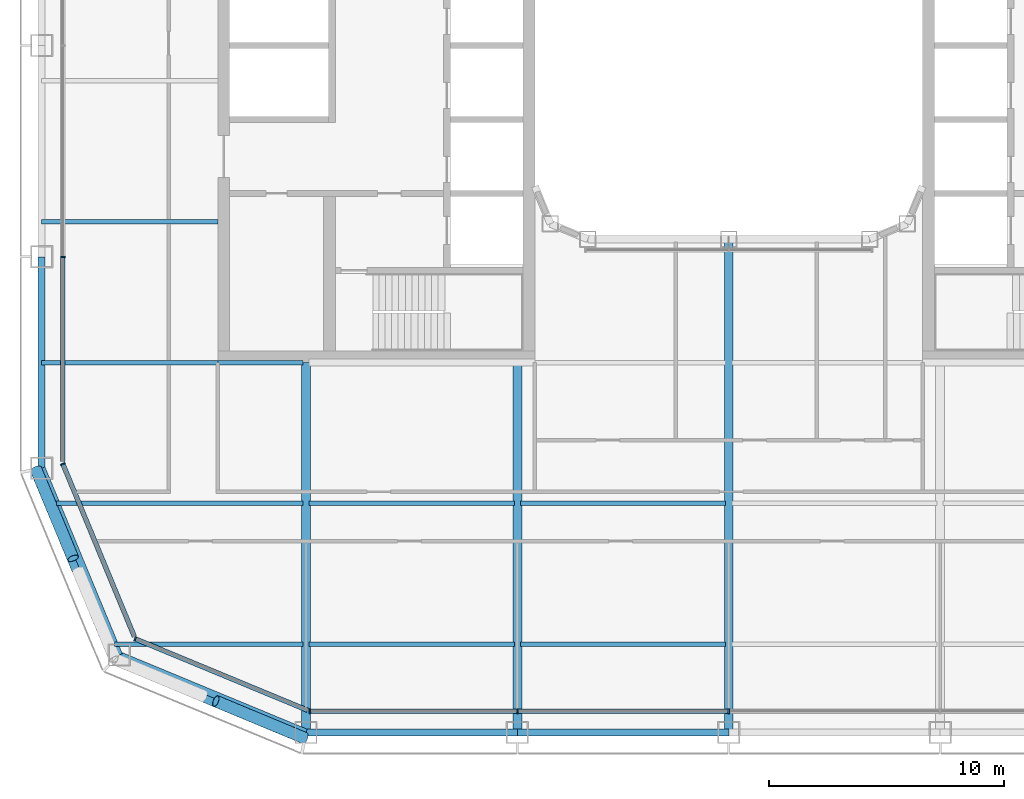
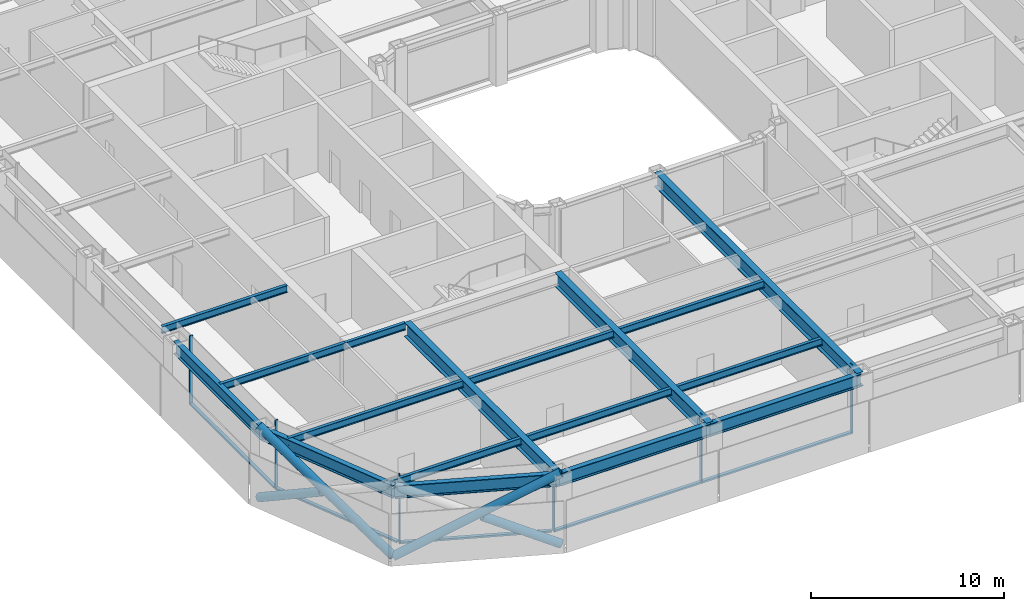
# One storey, part 2 of 21: 17 beams, 15 members, 4 elements without a shape of their own.
"""IFC4 building model written with IfcOpenShell, lengths in metres."""

from ifc_helpers import new_model, si_unit, direction, frame, origin, origin_2d, place, context, subcontext, project, spatial, rectangle, hollow_circle, i_section, extrude, material, layer, layer_set, material_profile, profile_set, type_object, element, aggregate, save


model = new_model("IFC4")

# Units and contexts
model_context = context("Model", 3, precision=1e-05, world=origin(), true_north=direction((0.0, 1.0)))
body_context = subcontext(model_context, "Body", "Model", "MODEL_VIEW")
ifc_project = project(units=[si_unit("LENGTHUNIT", "METRE"), si_unit("AREAUNIT", "SQUARE_METRE"), si_unit("VOLUMEUNIT", "CUBIC_METRE"), si_unit("PLANEANGLEUNIT", "RADIAN"), si_unit("MASSUNIT", "GRAM", prefix="KILO")], contexts=[model_context])

# Site, building, storey
site_placement = place(None, origin())
site = spatial("IfcSite", under=ifc_project, at=site_placement, CompositionType="ELEMENT")
building_placement = place(site_placement, origin())
building = spatial("IfcBuilding", under=site, at=building_placement, Name="Siwar Civic Tower", CompositionType="ELEMENT")
storey_placement = place(building_placement, frame((0.0, 0.0, 140.699951171875)))
storey = spatial("IfcBuildingStorey", under=building, at=storey_placement, Name="L30", CompositionType="ELEMENT", Elevation=140.699951171875)

# Curtain wall, members
ifc_material_1 = material(Name="Aluminium and glass", Category="aluminium")
ifc_layer_1 = layer(ifc_material_1, 0.199951171875)
ifc_layer_set_1 = layer_set([ifc_layer_1], Name="Aluminium and glass")
curtain_wall_type_1 = type_object("IfcCurtainWallType", Name="ENV-CW-B", PredefinedType="NOTDEFINED", material=ifc_layer_set_1)
curtain_wall_1_placement = place(storey_placement, origin())
curtain_wall_1 = element("IfcCurtainWall", 1, at=curtain_wall_1_placement, inside=storey, type_object=curtain_wall_type_1, Name="Curtain wall B S", PredefinedType="NOTDEFINED")
ifc_material_2 = material(Name="Aluminium 6063-T6", Category="aluminium")
ifc_material_profile_1 = material_profile(ifc_material_2, rectangle(XDim=0.199951171875, YDim=0.06494140625, at=origin_2d()), Name="AL 200x65")
ifc_profile_set_1 = profile_set([ifc_material_profile_1], Name="Aluminium 6063-T6")
member_type_1 = type_object("IfcMemberType", Name="ENV-MULLION-B", PredefinedType="MULLION", material=ifc_profile_set_1)
member_1_placement = place(storey_placement, frame((-17.821044921875, -28.35009765625, 0.0), z_axis=(0.0, 0.0, 1.0), x_axis=(0.0, 1.0, 0.0)))
member_1 = element("IfcMember", 2, at=member_1_placement, type_object=member_type_1, Name="Mullion B S 1", PredefinedType="MULLION", context=body_context, shape_type="SweptSolid", body=[
    extrude(rectangle(XDim=0.199951171875, YDim=0.06494140625, at=origin_2d()), origin(), (0.0, 0.0, 1.0), 4.35009765625),
])
member_2_placement = place(storey_placement, frame((-9.0, -28.35009765625, 0.0), z_axis=(0.0, 0.0, 1.0), x_axis=(0.0, 1.0, 0.0)))
member_2 = element("IfcMember", 3, at=member_2_placement, type_object=member_type_1, Name="Mullion B S 2", PredefinedType="MULLION", context=body_context, shape_type="SweptSolid", body=[
    extrude(rectangle(XDim=0.199951171875, YDim=0.06494140625, at=origin_2d()), origin(), (0.0, 0.0, 1.0), 4.35009765625),
])
member_3_placement = place(storey_placement, frame((0.0, -28.35009765625, 0.0), z_axis=(0.0, 0.0, 1.0), x_axis=(0.0, 1.0, 0.0)))
member_3 = element("IfcMember", 4, at=member_3_placement, type_object=member_type_1, Name="Mullion B S 3", PredefinedType="MULLION", context=body_context, shape_type="SweptSolid", body=[
    extrude(rectangle(XDim=0.199951171875, YDim=0.06494140625, at=origin_2d()), origin(), (0.0, 0.0, 1.0), 4.35009765625),
])

# Curtain wall, member
curtain_wall_2_placement = place(storey_placement, origin())
curtain_wall_2 = element("IfcCurtainWall", 5, at=curtain_wall_2_placement, inside=storey, type_object=curtain_wall_type_1, Name="Curtain wall B W", PredefinedType="NOTDEFINED")
member_4_placement = place(storey_placement, frame((-28.35009765625, -9.0, 0.0), z_axis=(0.0, 0.0, 1.0), x_axis=(1.0, 0.0, 0.0)))
member_4 = element("IfcMember", 6, at=member_4_placement, type_object=member_type_1, Name="Mullion B W 4", PredefinedType="MULLION", context=body_context, shape_type="SweptSolid", body=[
    extrude(rectangle(XDim=0.199951171875, YDim=0.06494140625, at=origin_2d()), origin(), (0.0, 0.0, 1.0), 4.35009765625),
])

ifc_material_3 = material(Name="Aluminium clad insulated panel", Category="aluminium")
ifc_layer_2 = layer(ifc_material_3, 0.199951171875)
ifc_layer_set_2 = layer_set([ifc_layer_2], Name="Aluminium clad insulated panel")
curtain_wall_type_2 = type_object("IfcCurtainWallType", Name="ENV-CW-BX", PredefinedType="NOTDEFINED", material=ifc_layer_set_2)
curtain_wall_3_placement = place(storey_placement, origin())
curtain_wall_3 = element("IfcCurtainWall", 7, at=curtain_wall_3_placement, inside=storey, type_object=curtain_wall_type_2, Name="Curtain wall B SW1", PredefinedType="NOTDEFINED")
member_5_placement = place(storey_placement, frame((-28.35009765625, -17.821044921875, 0.0), z_axis=(0.0, 0.0, 1.0), x_axis=(0.923879532511, 0.382683432365, 0.0)))
member_5 = element("IfcMember", 8, at=member_5_placement, type_object=member_type_1, Name="Mullion B SW1 1", PredefinedType="MULLION", context=body_context, shape_type="SweptSolid", body=[
    extrude(rectangle(XDim=0.199951171875, YDim=0.06494140625, at=origin_2d()), origin(), (0.0, 0.0, 1.0), 4.35009765625),
])

curtain_wall_4_placement = place(storey_placement, origin())
curtain_wall_4 = element("IfcCurtainWall", 9, at=curtain_wall_4_placement, inside=storey, type_object=curtain_wall_type_2, Name="Curtain wall B SW2", PredefinedType="NOTDEFINED")
member_6_placement = place(storey_placement, frame((-25.26611328125, -25.26611328125, 0.0), z_axis=(0.0, 0.0, 1.0), x_axis=(0.382683432365, 0.923879532511, 0.0)))
member_6 = element("IfcMember", 10, at=member_6_placement, type_object=member_type_1, Name="Mullion B SW2 1", PredefinedType="MULLION", context=body_context, shape_type="SweptSolid", body=[
    extrude(rectangle(XDim=0.199951171875, YDim=0.06494140625, at=origin_2d()), origin(), (0.0, 0.0, 1.0), 4.35009765625),
])

# Member
ifc_material_4 = material(Name="Aluminium 6063-T6", Category="aluminium")
ifc_material_profile_2 = material_profile(ifc_material_4, rectangle(XDim=0.199951171875, YDim=0.110107421875, at=origin_2d()), Name="AL 200x110")
ifc_profile_set_2 = profile_set([ifc_material_profile_2], Name="Aluminium 6063-T6")
member_type_2 = type_object("IfcMemberType", Name="ENV-TRANSOM-B", PredefinedType="USERDEFINED", material=ifc_profile_set_2)
member_7_placement = place(storey_placement, frame((-17.78857421875, -28.35009765625, 0.054931640625), z_axis=(1.0, 0.0, 0.0), x_axis=(0.0, 1.0, 0.0)))
member_7 = element("IfcMember", 11, at=member_7_placement, type_object=member_type_2, Name="Transom B S 1", ObjectType="TRANSOM", PredefinedType="USERDEFINED", context=body_context, shape_type="SweptSolid", body=[
    extrude(rectangle(XDim=0.199951171875, YDim=0.110107421875, at=origin_2d()), origin(), (0.0, 0.0, 1.0), 8.756103515625),
])

member_8_placement = place(storey_placement, frame((-8.967529296875, -28.35009765625, 0.054931640625), z_axis=(1.0, 0.0, 0.0), x_axis=(0.0, 1.0, 0.0)))
member_8 = element("IfcMember", 12, at=member_8_placement, type_object=member_type_2, Name="Transom B S 2", ObjectType="TRANSOM", PredefinedType="USERDEFINED", context=body_context, shape_type="SweptSolid", body=[
    extrude(rectangle(XDim=0.199951171875, YDim=0.110107421875, at=origin_2d()), origin(), (0.0, 0.0, 1.0), 8.93505859375),
])

aggregate(curtain_wall_1, [member_1, member_2, member_3, member_7, member_8])

member_9_placement = place(storey_placement, frame((-28.35009765625, -9.032470703125, 0.054931640625), z_axis=(0.0, -1.0, 0.0), x_axis=(1.0, 0.0, 0.0)))
member_9 = element("IfcMember", 13, at=member_9_placement, type_object=member_type_2, Name="Transom B W 4", ObjectType="TRANSOM", PredefinedType="USERDEFINED", context=body_context, shape_type="SweptSolid", body=[
    extrude(rectangle(XDim=0.199951171875, YDim=0.110107421875, at=origin_2d()), origin(), (0.0, 0.0, 1.0), 8.6748046875),
])

aggregate(curtain_wall_2, [member_4, member_9])

member_10_placement = place(storey_placement, frame((-28.337646484375, -17.85107421875, 0.054931640625), z_axis=(0.382699695651, -0.92387279587, 0.0), x_axis=(0.92387279587, 0.382699695651, 0.0)))
member_10 = element("IfcMember", 14, at=member_10_placement, type_object=member_type_2, Name="Transom B SW1 1", ObjectType="TRANSOM", PredefinedType="USERDEFINED", context=body_context, shape_type="SweptSolid", body=[
    extrude(rectangle(XDim=0.199951171875, YDim=0.110107421875, at=origin_2d()), origin(), (0.0, 0.0, 1.0), 7.912353515625),
])

aggregate(curtain_wall_3, [member_5, member_10])

member_11_placement = place(storey_placement, frame((-25.236083984375, -25.278564453125, 0.054931640625), z_axis=(0.923883705044, -0.382673358825, 0.0), x_axis=(0.382673358825, 0.923883705044, 0.0)))
member_11 = element("IfcMember", 15, at=member_11_placement, type_object=member_type_2, Name="Transom B SW2 1", ObjectType="TRANSOM", PredefinedType="USERDEFINED", context=body_context, shape_type="SweptSolid", body=[
    extrude(rectangle(XDim=0.199951171875, YDim=0.110107421875, at=origin_2d()), origin(), (0.0, 0.0, 1.0), 7.912353515625),
])

aggregate(curtain_wall_4, [member_6, member_11])

# Members
ifc_material_5 = material(Name="Steel S355", Category="steel")
ifc_material_profile_3 = material_profile(ifc_material_5, hollow_circle(Radius=0.25390625, WallThickness=0.02490234375, at=origin_2d()), Name="CHS508x25")
ifc_profile_set_3 = profile_set([ifc_material_profile_3], Name="Steel S355")
member_type_3 = type_object("IfcMemberType", Name="STR-BR-CHS508x25", PredefinedType="BRACE", material=ifc_profile_set_3)
member_12_placement = place(storey_placement, frame((-26.1318359375, -26.1318359375, 0.0), z_axis=(0.821142553604, -0.341671493852, 0.457149315816), x_axis=(0.384163874976, 0.923264922524, 0.0)))
element("IfcMember", 16, at=member_12_placement, inside=storey, type_object=member_type_3, Name="L30/brc/BSW1-9-0-1", PredefinedType="BRACE", context=body_context, shape_type="SweptSolid", body=[
    extrude(hollow_circle(Radius=0.25390625, WallThickness=0.02490234375, at=origin_2d()), origin(), (0.0, 0.0, 1.0), 9.843505859375),
])
member_13_placement = place(storey_placement, frame((-18.048828125, -29.4951171875, 0.0), z_axis=(-0.821126041429, 0.341677318012, 0.457174621391), x_axis=(-0.384176042158, -0.923259859753, 0.0)))
element("IfcMember", 17, at=member_13_placement, inside=storey, type_object=member_type_3, Name="L30/brc/BSW1-9-0-2", PredefinedType="BRACE", context=body_context, shape_type="SweptSolid", body=[
    extrude(hollow_circle(Radius=0.25390625, WallThickness=0.02490234375, at=origin_2d()), origin(), (0.0, 0.0, 1.0), 4.614501953125),
])
member_14_placement = place(storey_placement, frame((-26.1318359375, -26.1318359375, 0.0), z_axis=(-0.341671493852, 0.821142553604, 0.457149315816), x_axis=(-0.923264922524, -0.384163874976, 0.0)))
element("IfcMember", 18, at=member_14_placement, inside=storey, type_object=member_type_3, Name="L30/brc/BSW1-9-0-0", PredefinedType="BRACE", context=body_context, shape_type="SweptSolid", body=[
    extrude(hollow_circle(Radius=0.25390625, WallThickness=0.02490234375, at=origin_2d()), origin(), (0.0, 0.0, 1.0), 9.843505859375),
])
member_15_placement = place(storey_placement, frame((-29.4951171875, -18.048828125, 0.0), z_axis=(0.341677318012, -0.821126041429, 0.457174621391), x_axis=(0.923259859753, 0.384176042158, 0.0)))
element("IfcMember", 19, at=member_15_placement, inside=storey, type_object=member_type_3, Name="L30/brc/BSW1-9-0-4", PredefinedType="BRACE", context=body_context, shape_type="SweptSolid", body=[
    extrude(hollow_circle(Radius=0.25390625, WallThickness=0.02490234375, at=origin_2d()), origin(), (0.0, 0.0, 1.0), 4.614501953125),
])

# Beams
ifc_material_6 = material(Name="Steel S355", Category="steel")
ifc_material_profile_4 = material_profile(ifc_material_6, i_section(OverallWidth=0.18994140625, OverallDepth=0.449951171875, WebThickness=0.009521484375, FlangeThickness=0.0146484375, FilletRadius=0.02099609375, at=origin_2d()), Name="IPE450")
ifc_profile_set_4 = profile_set([ifc_material_profile_4], Name="Steel S355")
beam_type_1 = type_object("IfcBeamType", Name="STR-FB-IPE450", PredefinedType="JOIST", material=ifc_profile_set_4)
beam_1_placement = place(storey_placement, frame((-26.143310546875, -25.5, 4.125), z_axis=(1.0, 0.0, 0.0), x_axis=(0.0, 1.0, 0.0)))
element("IfcBeam", 20, at=beam_1_placement, inside=storey, type_object=beam_type_1, Name="L30/bm/F001", PredefinedType="JOIST", context=body_context, shape_type="SweptSolid", body=[
    extrude(i_section(OverallWidth=0.18994140625, OverallDepth=0.449951171875, WebThickness=0.009521484375, FlangeThickness=0.0146484375, FilletRadius=0.02099609375, at=origin_2d()), origin(), (0.0, 0.0, 1.0), 8.013427734375),
])
for number, where, z_axis, x_axis, name in (
    (21, (-17.8701171875, -25.5, 4.125), (1.0, 0.0, 0.0), (0.0, 1.0, 0.0), "L30/bm/F002"),
    (22, (-8.8701171875, -25.5, 4.125), (1.0, 0.0, 0.0), (0.0, 1.0, 0.0), "L30/bm/F003"),
):
    element("IfcBeam", number, at=place(storey_placement, frame(where, z_axis=z_axis, x_axis=x_axis)), inside=storey, type_object=beam_type_1, Name=name, PredefinedType="JOIST", context=body_context, shape_type="SweptSolid", body=[
        extrude(i_section(OverallWidth=0.18994140625, OverallDepth=0.449951171875, WebThickness=0.009521484375, FlangeThickness=0.0146484375, FilletRadius=0.02099609375, at=origin_2d()), origin(), (0.0, 0.0, 1.0), 8.740234375),
    ])
beam_2_placement = place(storey_placement, frame((-28.628662109375, -19.5, 4.125), z_axis=(1.0, 0.0, 0.0), x_axis=(0.0, 1.0, 0.0)))
element("IfcBeam", 23, at=beam_2_placement, inside=storey, type_object=beam_type_1, Name="L30/bm/F007", PredefinedType="JOIST", context=body_context, shape_type="SweptSolid", body=[
    extrude(i_section(OverallWidth=0.18994140625, OverallDepth=0.449951171875, WebThickness=0.009521484375, FlangeThickness=0.0146484375, FilletRadius=0.02099609375, at=origin_2d()), origin(), (0.0, 0.0, 1.0), 10.498779296875),
])
for number, where, z_axis, x_axis, name in (
    (24, (-17.8701171875, -19.5, 4.125), (1.0, 0.0, 0.0), (0.0, 1.0, 0.0), "L30/bm/F008"),
    (25, (-8.8701171875, -19.5, 4.125), (1.0, 0.0, 0.0), (0.0, 1.0, 0.0), "L30/bm/F009"),
):
    element("IfcBeam", number, at=place(storey_placement, frame(where, z_axis=z_axis, x_axis=x_axis)), inside=storey, type_object=beam_type_1, Name=name, PredefinedType="JOIST", context=body_context, shape_type="SweptSolid", body=[
        extrude(i_section(OverallWidth=0.18994140625, OverallDepth=0.449951171875, WebThickness=0.009521484375, FlangeThickness=0.0146484375, FilletRadius=0.02099609375, at=origin_2d()), origin(), (0.0, 0.0, 1.0), 8.740234375),
    ])
beam_3_placement = place(storey_placement, frame((-29.25, -13.5, 4.125), z_axis=(1.0, 0.0, 0.0), x_axis=(0.0, 1.0, 0.0)))
element("IfcBeam", 26, at=beam_3_placement, inside=storey, type_object=beam_type_1, Name="L30/bm/F013", PredefinedType="JOIST", context=body_context, shape_type="SweptSolid", body=[
    extrude(i_section(OverallWidth=0.18994140625, OverallDepth=0.449951171875, WebThickness=0.009521484375, FlangeThickness=0.0146484375, FilletRadius=0.02099609375, at=origin_2d()), origin(), (0.0, 0.0, 1.0), 7.5),
])
beam_4_placement = place(storey_placement, frame((-21.75, -13.5, 4.125), z_axis=(1.0, 0.0, 0.0), x_axis=(0.0, 1.0, 0.0)))
element("IfcBeam", 27, at=beam_4_placement, inside=storey, type_object=beam_type_1, Name="L30/bm/F014", PredefinedType="JOIST", context=body_context, shape_type="SweptSolid", body=[
    extrude(i_section(OverallWidth=0.18994140625, OverallDepth=0.449951171875, WebThickness=0.009521484375, FlangeThickness=0.0146484375, FilletRadius=0.02099609375, at=origin_2d()), origin(), (0.0, 0.0, 1.0), 3.6201171875),
])
beam_5_placement = place(storey_placement, frame((-29.25, -7.5, 4.125), z_axis=(1.0, 0.0, 0.0), x_axis=(0.0, 1.0, 0.0)))
element("IfcBeam", 28, at=beam_5_placement, inside=storey, type_object=beam_type_1, Name="L30/bm/F021", PredefinedType="JOIST", context=body_context, shape_type="SweptSolid", body=[
    extrude(i_section(OverallWidth=0.18994140625, OverallDepth=0.449951171875, WebThickness=0.009521484375, FlangeThickness=0.0146484375, FilletRadius=0.02099609375, at=origin_2d()), origin(), (0.0, 0.0, 1.0), 7.5),
])
ifc_material_7 = material(Name="Steel S355", Category="steel")
ifc_material_profile_5 = material_profile(ifc_material_7, i_section(OverallWidth=0.3798828125, OverallDepth=0.89990234375, WebThickness=0.01611328125, FlangeThickness=0.035888671875, at=origin_2d()), Name="PG900x380x16x36")
ifc_profile_set_5 = profile_set([ifc_material_profile_5], Name="Steel S355")
beam_type_2 = type_object("IfcBeamType", Name="STR-PG-PG900x380x16x36", PredefinedType="BEAM", material=ifc_profile_set_5)
for number, where, z_axis, x_axis, name in (
    (29, (-18.0, -29.25, 3.900146484375), (0.0, 1.0, 0.0), (-1.0, 0.0, 0.0), "L30/bm/G01"),
    (30, (-9.0, -29.25, 3.900146484375), (0.0, 1.0, 0.0), (-1.0, 0.0, 0.0), "L30/bm/G03"),
):
    element("IfcBeam", number, at=place(storey_placement, frame(where, z_axis=z_axis, x_axis=x_axis)), inside=storey, type_object=beam_type_2, Name=name, PredefinedType="BEAM", context=body_context, shape_type="SweptSolid", body=[
        extrude(i_section(OverallWidth=0.3798828125, OverallDepth=0.89990234375, WebThickness=0.01611328125, FlangeThickness=0.035888671875, at=origin_2d()), origin(), (0.0, 0.0, 1.0), 15.75),
    ])
beam_6_placement = place(storey_placement, frame((0.0, -29.25, 3.900146484375), z_axis=(0.0, 1.0, 0.0), x_axis=(-1.0, 0.0, 0.0)))
element("IfcBeam", 31, at=beam_6_placement, inside=storey, type_object=beam_type_2, Name="L30/bm/G05", PredefinedType="BEAM", context=body_context, shape_type="SweptSolid", body=[
    extrude(i_section(OverallWidth=0.3798828125, OverallDepth=0.89990234375, WebThickness=0.01611328125, FlangeThickness=0.035888671875, at=origin_2d()), origin(), (0.0, 0.0, 1.0), 21.0),
])
ifc_material_8 = material(Name="Steel S355", Category="steel")
ifc_material_profile_6 = material_profile(ifc_material_8, i_section(OverallWidth=0.300048828125, OverallDepth=0.800048828125, WebThickness=0.017578125, FlangeThickness=0.032958984375, FilletRadius=0.030029296875, at=origin_2d()), Name="HEB800")
ifc_profile_set_6 = profile_set([ifc_material_profile_6], Name="Steel S355")
beam_type_3 = type_object("IfcBeamType", Name="STR-SB-HEB800", PredefinedType="BEAM", material=ifc_profile_set_6)
for number, where, z_axis, x_axis, name in (
    (32, (-18.0, -29.25, 3.949951171875), (1.0, 0.0, 0.0), (0.0, 1.0, 0.0), "L30/bm/SS-0"),
    (33, (-9.0, -29.25, 3.949951171875), (1.0, 0.0, 0.0), (0.0, 1.0, 0.0), "L30/bm/SS-1"),
    (34, (-29.25, -9.0, 3.949951171875), (0.0, -1.0, 0.0), (1.0, 0.0, 0.0), "L30/bm/SW-3"),
):
    element("IfcBeam", number, at=place(storey_placement, frame(where, z_axis=z_axis, x_axis=x_axis)), inside=storey, type_object=beam_type_3, Name=name, PredefinedType="BEAM", context=body_context, shape_type="SweptSolid", body=[
        extrude(i_section(OverallWidth=0.300048828125, OverallDepth=0.800048828125, WebThickness=0.017578125, FlangeThickness=0.032958984375, FilletRadius=0.030029296875, at=origin_2d()), origin(), (0.0, 0.0, 1.0), 9.0),
    ])
for number, where, z_axis, x_axis, name in (
    (35, (-29.25, -18.0, 3.949951171875), (0.382699877515, -0.923872720536, 0.0), (0.923872720536, 0.382699877515, 0.0), "L30/bm/SSW1-0"),
    (36, (-25.954833984375, -25.954833984375, 3.949951171875), (0.923872720536, -0.382699877515, 0.0), (0.382699877515, 0.923872720536, 0.0), "L30/bm/SSW2-0"),
):
    element("IfcBeam", number, at=place(storey_placement, frame(where, z_axis=z_axis, x_axis=x_axis)), inside=storey, type_object=beam_type_3, Name=name, PredefinedType="BEAM", context=body_context, shape_type="SweptSolid", body=[
        extrude(i_section(OverallWidth=0.300048828125, OverallDepth=0.800048828125, WebThickness=0.017578125, FlangeThickness=0.032958984375, FilletRadius=0.030029296875, at=origin_2d()), origin(), (0.0, 0.0, 1.0), 8.6103515625),
    ])

save(model, "model.ifc")
